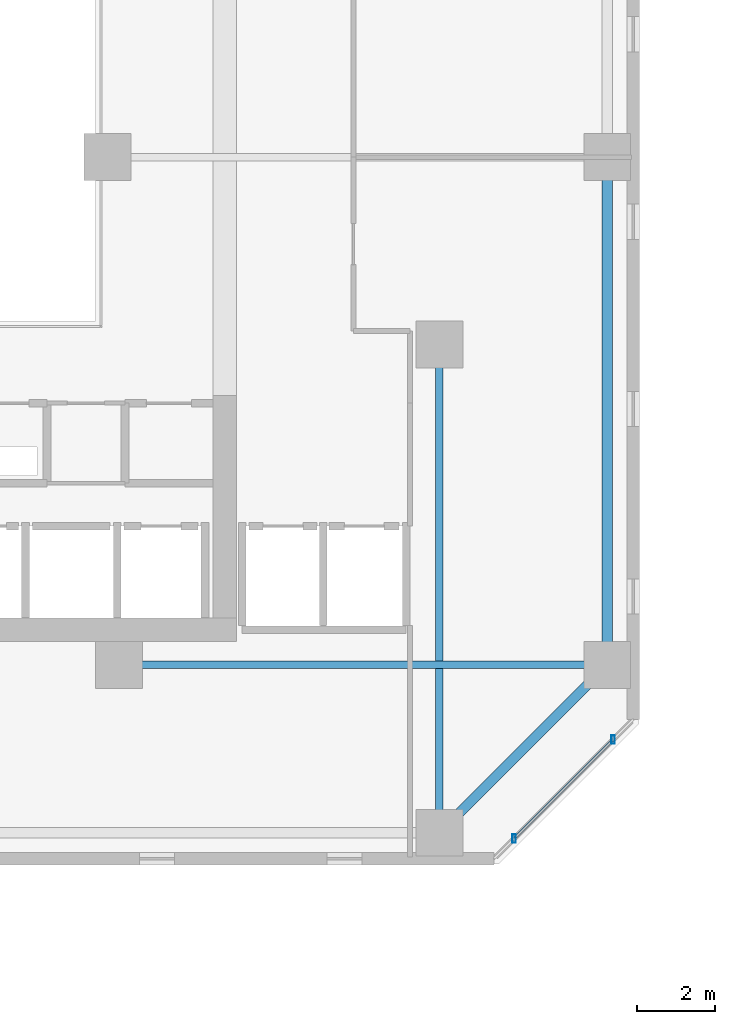
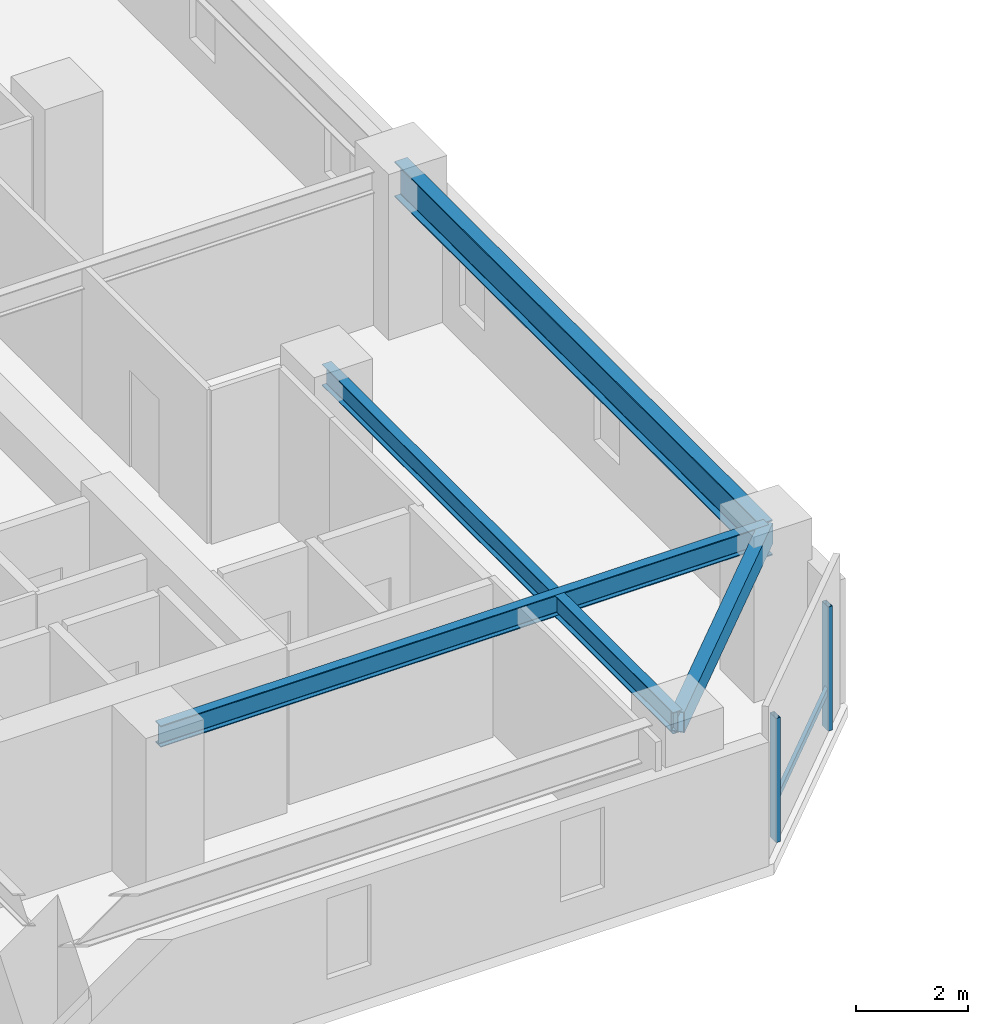
# One storey, part 5 of 33: 4 beams, 3 members, 1 element without a shape of its own.
"""IFC4 building model written with IfcOpenShell, lengths in metres."""

import ifcopenshell
import ifcopenshell.guid

model = None  # the IFC model being written
_history = None  # IfcOwnerHistory: only IFC2X3 demands one
_inside = {}  # id of a spatial element -> (the spatial element, [elements in it])
_under = {}  # id of a project, library or spatial element -> (it, [spatial elements below it])
_declared = {}  # id of a project -> (the project, [libraries it declares])
_typed = {}  # id of a type object -> (the type object, [elements of that type])
_made_of = {}  # id of a material, layer set ... -> (it, [elements and type objects made of it])


def new_model(schema):
    """Start an empty IFC model of exactly this schema.

    Asked for "IFC4X3", IfcOpenShell would pick the latest addendum, in which some entities
    have other attributes; the version numbers below select the first issue.
    IFC2X3 requires an IfcOwnerHistory on every rooted entity: one is made here for all.
    """
    global model, _history
    if schema == "IFC4X3":
        model = ifcopenshell.file(schema_version=(4, 3, 0, 0))
    else:
        model = ifcopenshell.file(schema=schema)
    _inside.clear()
    _under.clear()
    _declared.clear()
    _typed.clear()
    _made_of.clear()
    _history = None
    if model.schema == "IFC2X3":
        org = make("IfcOrganization", Name="unknown")
        user = make(
            "IfcPersonAndOrganization",
            ThePerson=make("IfcPerson", FamilyName="unknown"),
            TheOrganization=org,
        )
        app = make(
            "IfcApplication",
            ApplicationDeveloper=org,
            Version="unknown",
            ApplicationFullName="unknown",
            ApplicationIdentifier="unknown",
        )
        _history = make(
            "IfcOwnerHistory",
            OwningUser=user,
            OwningApplication=app,
            ChangeAction="ADDED",
            CreationDate=0,
        )
    return model


def make(cls, **values):
    """One entity of the class cls with the attributes given. An attribute that is None is left unset."""
    return model.create_entity(
        cls, **{name: value for name, value in values.items() if value is not None}
    )


def rooted(cls, **values):
    """An entity with a GlobalId (a new one), such as an element, a storey or a relation."""
    return make(cls, GlobalId=ifcopenshell.guid.new(), OwnerHistory=_history, **values)


def si_unit(unit_type, name, prefix=None):
    """IfcSIUnit, for example si_unit("LENGTHUNIT", "METRE", prefix="MILLI")."""
    return make("IfcSIUnit", UnitType=unit_type, Prefix=prefix, Name=name)


def assignment(units):
    """IfcUnitAssignment: the units of a project."""
    return None if units is None else make("IfcUnitAssignment", Units=units)


def point(xyz):
    """IfcCartesianPoint."""
    return None if xyz is None else make("IfcCartesianPoint", Coordinates=xyz)


def direction(xyz):
    """IfcDirection."""
    return None if xyz is None else make("IfcDirection", DirectionRatios=xyz)


def frame(location, z_axis=None, x_axis=None):
    """IfcAxis2Placement3D, a coordinate frame: its origin and axes. An axis left out is left unset."""
    return make(
        "IfcAxis2Placement3D",
        Location=point(location),
        Axis=direction(z_axis),
        RefDirection=direction(x_axis),
    )


def frame_2d(location, x_axis=None):
    """IfcAxis2Placement2D, a coordinate frame in the plane: its origin and x axis."""
    return make(
        "IfcAxis2Placement2D", Location=point(location), RefDirection=direction(x_axis)
    )


def origin():
    """The frame at (0, 0, 0) with its axes left unset."""
    return frame((0.0, 0.0, 0.0))


def origin_2d():
    """The frame at (0, 0) in the plane with its x axis left unset."""
    return frame_2d((0.0, 0.0))


def place(relative_to, where):
    """IfcLocalPlacement: puts the frame where relative to a parent placement (None: the world)."""
    return make(
        "IfcLocalPlacement", PlacementRelTo=relative_to, RelativePlacement=where
    )


def context(
    kind, dimensions, precision=None, world=None, true_north=None, identifier=None
):
    """IfcGeometricRepresentationContext, for example the 3D "Model" context."""
    return make(
        "IfcGeometricRepresentationContext",
        ContextIdentifier=identifier,
        ContextType=kind,
        CoordinateSpaceDimension=dimensions,
        Precision=precision,
        WorldCoordinateSystem=world,
        TrueNorth=true_north,
    )


def subcontext(parent, identifier, kind, view, scale=None):
    """IfcGeometricRepresentationSubContext, for example "Body" below "Model"."""
    return make(
        "IfcGeometricRepresentationSubContext",
        ContextIdentifier=identifier,
        ContextType=kind,
        ParentContext=parent,
        TargetScale=scale,
        TargetView=view,
    )


def project(units=None, contexts=None):
    """IfcProject with its units and contexts."""
    return rooted(
        "IfcProject",
        Name="project",
        RepresentationContexts=contexts,
        UnitsInContext=assignment(units),
    )


def spatial(cls, under=None, at=None, **own):
    """A site, building, storey or space (cls), placed at a placement, below another one or the project."""
    s = rooted(cls, ObjectPlacement=at, **own)
    if under is not None:
        _under.setdefault(under.id(), (under, []))[1].append(s)
    return s


def profile(cls, at=None, kind="AREA", **sizes):
    """A parametric profile (cls). Its sizes go by their IFC names, for example OverallWidth=200.0."""
    return make(cls, ProfileType=kind, Position=at, **sizes)


def hollow_rectangle(**sizes):
    """IfcRectangleHollowProfileDef."""
    return profile("IfcRectangleHollowProfileDef", **sizes)


def i_section(**sizes):
    """IfcIShapeProfileDef."""
    return profile("IfcIShapeProfileDef", **sizes)


def extrude(swept, where, along, depth):
    """IfcExtrudedAreaSolid: the profile swept, set in the frame where, extruded along a direction by depth."""
    return make(
        "IfcExtrudedAreaSolid",
        SweptArea=swept,
        Position=where,
        ExtrudedDirection=direction(along),
        Depth=depth,
    )


def shape(context_of_items, identifier, shape_type, items):
    """IfcShapeRepresentation: the items that make up one representation, for example the "Body"."""
    return make(
        "IfcShapeRepresentation",
        ContextOfItems=context_of_items,
        RepresentationIdentifier=identifier,
        RepresentationType=shape_type,
        Items=items,
    )


def material(Name=None, Category=None):
    """IfcMaterial."""
    return make("IfcMaterial", Name=Name, Category=Category)


def material_profile(
    of_material, cross_section, Name=None, Category=None, Priority=None
):
    """IfcMaterialProfile: a cross section and its material."""
    return make(
        "IfcMaterialProfile",
        Name=Name,
        Material=of_material,
        Profile=cross_section,
        Priority=Priority,
        Category=Category,
    )


def profile_set(profiles, Name=None, composite=None):
    """IfcMaterialProfileSet."""
    return make(
        "IfcMaterialProfileSet",
        Name=Name,
        MaterialProfiles=profiles,
        CompositeProfile=composite,
    )


def made_of(thing, what):
    """Note that an element or type object is made of a material, layer set ...; save() writes the relation."""
    if what is not None:
        _made_of.setdefault(what.id(), (what, []))[1].append(thing)
    return thing


def type_object(cls, material=None, **own):
    """A type object (cls), such as IfcWallType, which elements share."""
    return made_of(rooted(cls, **own), material)


def element(
    cls,
    number,
    at=None,
    inside=None,
    cuts=None,
    type_object=None,
    material=None,
    context=None,
    identifier="Body",
    shape_type=None,
    held_by="IfcProductDefinitionShape",
    body=None,
    shapes=None,
    **own,
):
    """One element of the class cls, such as IfcWall. Its Tag is "e" and its number.

    at: its placement. inside: the storey or other place that contains it. cuts: it is an
    opening in that element (IfcRelVoidsElement). A single representation is given by context,
    identifier, shape_type and body (its items); several are given by shapes. held_by: the class
    of the entity that holds the representations. save() writes the other relations.
    """
    e = rooted(cls, Tag="e%d" % number, ObjectPlacement=at, **own)
    if body is not None:
        shapes = [shape(context, identifier, shape_type, body)]
    if shapes is not None:
        e.Representation = make(held_by, Representations=shapes)
    if inside is not None:
        _inside.setdefault(inside.id(), (inside, []))[1].append(e)
    if cuts is not None:
        rooted(
            "IfcRelVoidsElement", RelatingBuildingElement=cuts, RelatedOpeningElement=e
        )
    if type_object is not None:
        _typed.setdefault(type_object.id(), (type_object, []))[1].append(e)
    return made_of(e, material)


def aggregate(whole, parts):
    """IfcRelAggregates: a whole, such as a stair, and the parts it consists of."""
    return rooted("IfcRelAggregates", RelatingObject=whole, RelatedObjects=parts)


def save(model, path):
    """Write the relations noted so far, then the file.

    IfcRelAggregates (storeys below a building ...), IfcRelContainedInSpatialStructure (elements
    in a storey), IfcRelDefinesByType, IfcRelAssociatesMaterial and IfcRelDeclares: one each for
    every whole, place, type object, material and project.
    """
    for whole, parts in _under.values():
        aggregate(whole, parts)
    for where, things in _inside.values():
        rooted(
            "IfcRelContainedInSpatialStructure",
            RelatedElements=things,
            RelatingStructure=where,
        )
    for kind, things in _typed.values():
        rooted("IfcRelDefinesByType", RelatedObjects=things, RelatingType=kind)
    for what, things in _made_of.values():
        rooted("IfcRelAssociatesMaterial", RelatedObjects=things, RelatingMaterial=what)
    for by, libraries in _declared.values():
        rooted("IfcRelDeclares", RelatingContext=by, RelatedDefinitions=libraries)
    model.write(path)


model = new_model("IFC4")

# Units and contexts
model_context = context("Model", 3, precision=1e-05, world=origin(), true_north=direction((0.0, 1.0)))
body_context = subcontext(model_context, "Body", "Model", "MODEL_VIEW")
ifc_project = project(units=[si_unit("LENGTHUNIT", "METRE"), si_unit("AREAUNIT", "SQUARE_METRE"), si_unit("VOLUMEUNIT", "CUBIC_METRE"), si_unit("PLANEANGLEUNIT", "RADIAN"), si_unit("MASSUNIT", "GRAM", prefix="KILO")], contexts=[model_context])

# Site, building, storey
site_placement = place(None, origin())
site = spatial("IfcSite", under=ifc_project, at=site_placement, CompositionType="ELEMENT")
building_placement = place(site_placement, origin())
building = spatial("IfcBuilding", under=site, at=building_placement, Name="Thornwick Lancets Civic Towers", CompositionType="ELEMENT")
storey_placement = place(building_placement, frame((0.0, 0.0, 105.300048828125)))
storey = spatial("IfcBuildingStorey", under=building, at=storey_placement, Name="L27", CompositionType="ELEMENT", Elevation=105.300048828125)

# Beams
ifc_material_1 = material(Name="Steel S355JR", Category="steel")
ifc_material_profile_1 = material_profile(ifc_material_1, i_section(OverallWidth=0.26806640625, OverallDepth=0.769775390625, WebThickness=0.015625, FlangeThickness=0.025390625, FilletRadius=0.0166015625, at=origin_2d()), Name="UKB 762x267x197")
ifc_profile_set_1 = profile_set([ifc_material_profile_1], Name="Steel S355JR")
beam_type_1 = type_object("IfcBeamType", Name="BM_GIRD_762_197", PredefinedType="BEAM", material=ifc_profile_set_1)
beam_1_placement = place(storey_placement, frame((42.800048828125, 14.0, 2.97509765625), z_axis=(0.0, 1.0, 0.0), x_axis=(-1.0, 0.0, 0.0)))
element("IfcBeam", 1, at=beam_1_placement, inside=storey, type_object=beam_type_1, Name="BM-SPINE-L27-A-3-4", PredefinedType="BEAM", context=body_context, shape_type="SweptSolid", body=[
    extrude(i_section(OverallWidth=0.26806640625, OverallDepth=0.769775390625, WebThickness=0.015625, FlangeThickness=0.025390625, FilletRadius=0.0166015625, at=origin_2d()), origin(), (0.0, 0.0, 1.0), 13.0),
])
ifc_material_profile_2 = material_profile(ifc_material_1, i_section(OverallWidth=0.19287109375, OverallDepth=0.46728515625, WebThickness=0.011474609375, FlangeThickness=0.01953125, FilletRadius=0.01025390625, at=origin_2d()), Name="UKB 457x191x98")
ifc_profile_set_2 = profile_set([ifc_material_profile_2], Name="Steel S355JR")
beam_type_2 = type_object("IfcBeamType", Name="BM_JOIST_457_98", PredefinedType="JOIST", material=ifc_profile_set_2)
for number, where, z_axis, x_axis, name in (
    (2, (38.5, 22.199951171875, 3.12646484375), (0.0, -1.0, 0.0), (1.0, 0.0, 0.0), "BM-RADIN-L27-A03"),
    (3, (30.300048828125, 14.0, 3.12646484375), (1.0, 0.0, 0.0), (0.0, 1.0, 0.0), "BM-RADIN-L27-A04"),
):
    element("IfcBeam", number, at=place(storey_placement, frame(where, z_axis=z_axis, x_axis=x_axis)), inside=storey, type_object=beam_type_2, Name=name, PredefinedType="JOIST", context=body_context, shape_type="SweptSolid", body=[
        extrude(i_section(OverallWidth=0.19287109375, OverallDepth=0.46728515625, WebThickness=0.011474609375, FlangeThickness=0.01953125, FilletRadius=0.01025390625, at=origin_2d()), origin(), (0.0, 0.0, 1.0), 12.5),
    ])
ifc_material_profile_3 = material_profile(ifc_material_1, hollow_rectangle(XDim=0.25, YDim=0.449951171875, WallThickness=0.01611328125, at=origin_2d()), Name="RHS 450x250x16")
ifc_profile_set_3 = profile_set([ifc_material_profile_3], Name="Steel S355JR")
beam_type_3 = type_object("IfcBeamType", Name="BM_RING_RHS450", PredefinedType="BEAM", material=ifc_profile_set_3)
beam_2_placement = place(storey_placement, frame((38.5, 9.699951171875, 3.135009765625), z_axis=(0.707106781187, 0.707106781187, 0.0), x_axis=(-0.707106781187, 0.707106781187, 0.0)))
element("IfcBeam", 4, at=beam_2_placement, inside=storey, type_object=beam_type_3, Name="BM-CHAMF-L27-A-C0", PredefinedType="BEAM", context=body_context, shape_type="SweptSolid", body=[
    extrude(hollow_rectangle(XDim=0.25, YDim=0.449951171875, WallThickness=0.01611328125, at=origin_2d()), origin(), (0.0, 0.0, 1.0), 6.081298828125),
])

# Curtain wall, members
ifc_material_2 = material(Name="Low-zone chamfered-corner unitised glass curtain wall", Category="glass")
curtain_wall_type = type_object("IfcCurtainWallType", Name="CW_SYS_03", PredefinedType="NOTDEFINED", material=ifc_material_2)
curtain_wall_placement = place(storey_placement, origin())
curtain_wall = element("IfcCurtainWall", 5, at=curtain_wall_placement, inside=storey, type_object=curtain_wall_type, Name="L27 Curtain Wall CW-L27-A-E1", PredefinedType="NOTDEFINED")
ifc_material_3 = material(Name="Thermally broken bronze aluminium S355", Category="steel")
ifc_material_profile_4 = material_profile(ifc_material_3, hollow_rectangle(XDim=0.090087890625, YDim=0.219970703125, WallThickness=0.00634765625, at=origin_2d()), Name="RHS 220x90x6.3")
ifc_profile_set_4 = profile_set([ifc_material_profile_4], Name="Thermally broken bronze aluminium S355")
member_type_1 = type_object("IfcMemberType", Name="CW_MUL_220", PredefinedType="MULLION", material=ifc_profile_set_4)
member_1_placement = place(storey_placement, frame((40.416015625, 9.551513671875, 0.0), z_axis=(0.0, 0.0, 1.0), x_axis=(1.0, 0.0, 0.0)))
member_1 = element("IfcMember", 6, at=member_1_placement, type_object=member_type_1, Name="CW-L27-A-E1 Mullion 0", PredefinedType="MULLION", context=body_context, shape_type="SweptSolid", body=[
    extrude(hollow_rectangle(XDim=0.090087890625, YDim=0.219970703125, WallThickness=0.00634765625, at=origin_2d()), origin(), (0.0, 0.0, 1.0), 2.699951171875),
])
member_2_placement = place(storey_placement, frame((42.948486328125, 12.083984375, 0.0), z_axis=(0.0, 0.0, 1.0), x_axis=(1.0, 0.0, 0.0)))
member_2 = element("IfcMember", 7, at=member_2_placement, type_object=member_type_1, Name="CW-L27-A-E1 Mullion 1", PredefinedType="MULLION", context=body_context, shape_type="SweptSolid", body=[
    extrude(hollow_rectangle(XDim=0.090087890625, YDim=0.219970703125, WallThickness=0.00634765625, at=origin_2d()), origin(), (0.0, 0.0, 1.0), 2.699951171875),
])
ifc_material_profile_5 = material_profile(ifc_material_3, hollow_rectangle(XDim=0.074951171875, YDim=0.14990234375, WallThickness=0.0048828125, at=origin_2d()), Name="RHS 150x75x5")
ifc_profile_set_5 = profile_set([ifc_material_profile_5], Name="Thermally broken bronze aluminium S355")
member_type_2 = type_object("IfcMemberType", Name="CW_TRN_150", PredefinedType="USERDEFINED", material=ifc_profile_set_5)
member_3_placement = place(storey_placement, frame((40.430419921875, 9.56591796875, 0.849853515625), z_axis=(0.707106781187, 0.707106781187, 0.0), x_axis=(-0.707106781187, 0.707106781187, 0.0)))
member_3 = element("IfcMember", 8, at=member_3_placement, type_object=member_type_2, Name="CW-L27-A-E1 Transom 0", ObjectType="TRANSOM", PredefinedType="USERDEFINED", context=body_context, shape_type="SweptSolid", body=[
    extrude(hollow_rectangle(XDim=0.074951171875, YDim=0.14990234375, WallThickness=0.0048828125, at=origin_2d()), origin(), (0.0, 0.0, 1.0), 3.540771484375),
])
aggregate(curtain_wall, [member_1, member_2, member_3])

save(model, "model.ifc")
